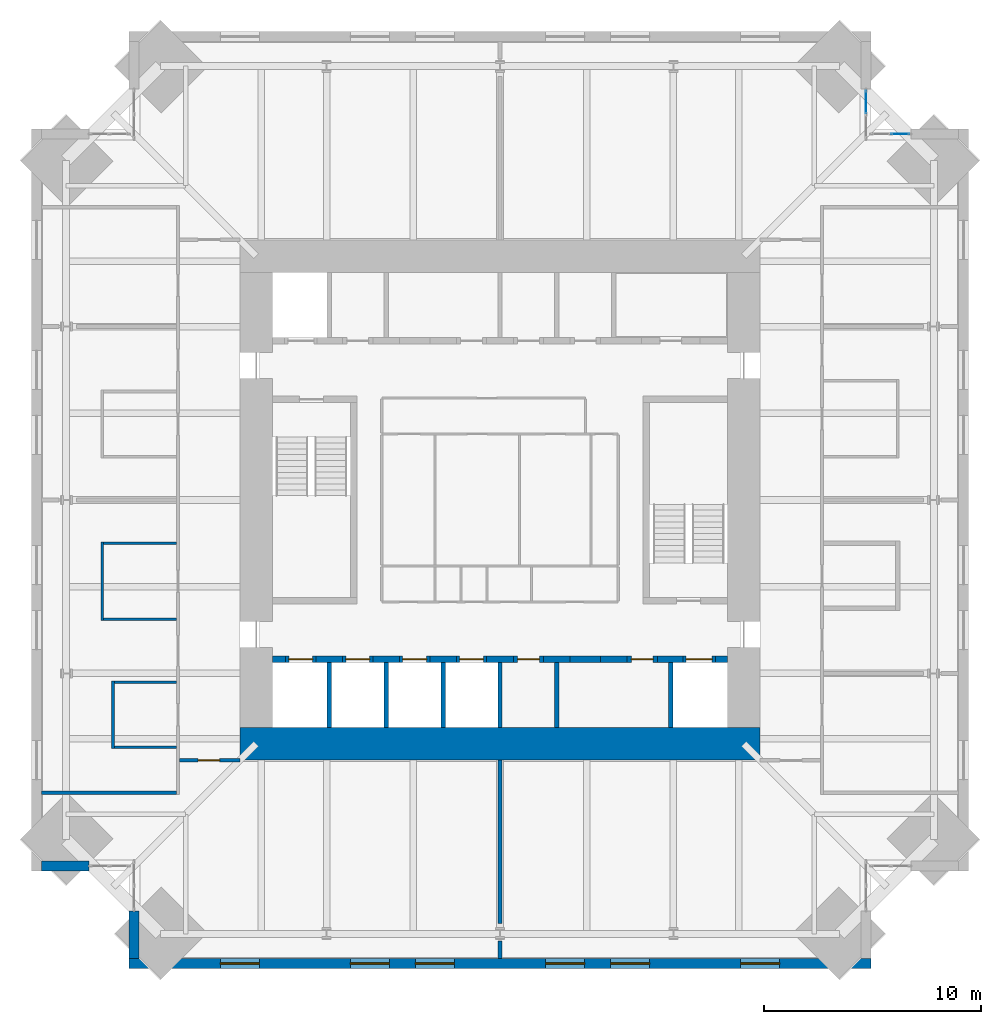
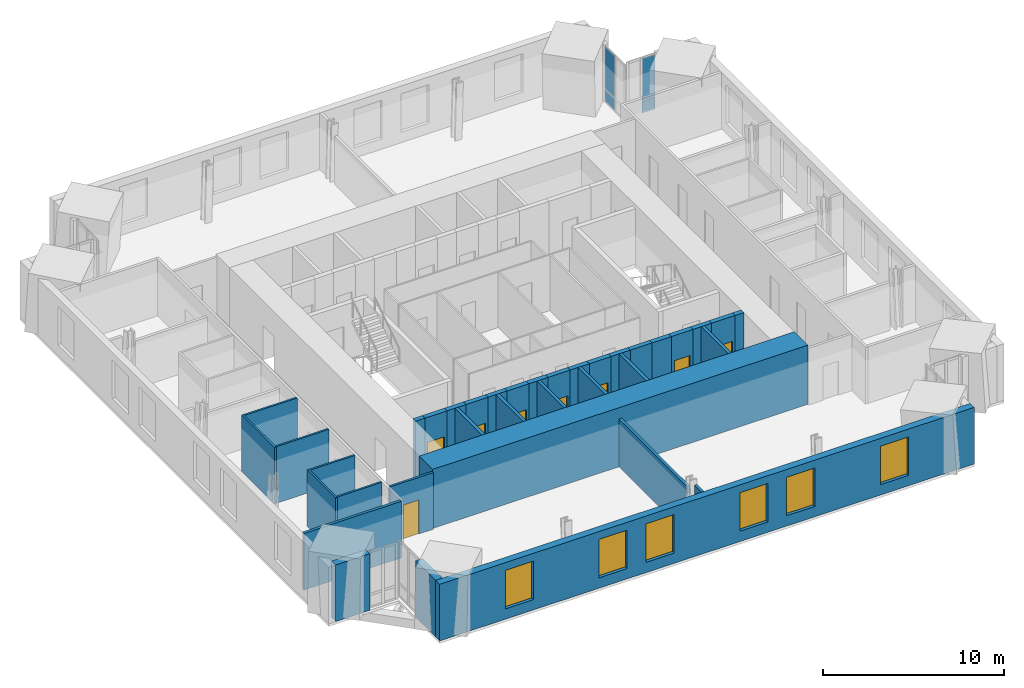
# One storey, part 11 of 16: 37 walls, 8 doors, 6 windows, 4 plates, 14 openings, 2 elements without a shape of their own.
"""IFC4 building model written with IfcOpenShell, lengths in metres."""

import ifcopenshell
import ifcopenshell.guid

model = None  # the IFC model being written
_history = None  # IfcOwnerHistory: only IFC2X3 demands one
_inside = {}  # id of a spatial element -> (the spatial element, [elements in it])
_under = {}  # id of a project, library or spatial element -> (it, [spatial elements below it])
_declared = {}  # id of a project -> (the project, [libraries it declares])
_typed = {}  # id of a type object -> (the type object, [elements of that type])
_made_of = {}  # id of a material, layer set ... -> (it, [elements and type objects made of it])


def new_model(schema):
    """Start an empty IFC model of exactly this schema.

    Asked for "IFC4X3", IfcOpenShell would pick the latest addendum, in which some entities
    have other attributes; the version numbers below select the first issue.
    IFC2X3 requires an IfcOwnerHistory on every rooted entity: one is made here for all.
    """
    global model, _history
    if schema == "IFC4X3":
        model = ifcopenshell.file(schema_version=(4, 3, 0, 0))
    else:
        model = ifcopenshell.file(schema=schema)
    _inside.clear()
    _under.clear()
    _declared.clear()
    _typed.clear()
    _made_of.clear()
    _history = None
    if model.schema == "IFC2X3":
        org = make("IfcOrganization", Name="unknown")
        user = make(
            "IfcPersonAndOrganization",
            ThePerson=make("IfcPerson", FamilyName="unknown"),
            TheOrganization=org,
        )
        app = make(
            "IfcApplication",
            ApplicationDeveloper=org,
            Version="unknown",
            ApplicationFullName="unknown",
            ApplicationIdentifier="unknown",
        )
        _history = make(
            "IfcOwnerHistory",
            OwningUser=user,
            OwningApplication=app,
            ChangeAction="ADDED",
            CreationDate=0,
        )
    return model


def make(cls, **values):
    """One entity of the class cls with the attributes given. An attribute that is None is left unset."""
    return model.create_entity(
        cls, **{name: value for name, value in values.items() if value is not None}
    )


def rooted(cls, **values):
    """An entity with a GlobalId (a new one), such as an element, a storey or a relation."""
    return make(cls, GlobalId=ifcopenshell.guid.new(), OwnerHistory=_history, **values)


def si_unit(unit_type, name, prefix=None):
    """IfcSIUnit, for example si_unit("LENGTHUNIT", "METRE", prefix="MILLI")."""
    return make("IfcSIUnit", UnitType=unit_type, Prefix=prefix, Name=name)


def assignment(units):
    """IfcUnitAssignment: the units of a project."""
    return None if units is None else make("IfcUnitAssignment", Units=units)


def point(xyz):
    """IfcCartesianPoint."""
    return None if xyz is None else make("IfcCartesianPoint", Coordinates=xyz)


def direction(xyz):
    """IfcDirection."""
    return None if xyz is None else make("IfcDirection", DirectionRatios=xyz)


def frame(location, z_axis=None, x_axis=None):
    """IfcAxis2Placement3D, a coordinate frame: its origin and axes. An axis left out is left unset."""
    return make(
        "IfcAxis2Placement3D",
        Location=point(location),
        Axis=direction(z_axis),
        RefDirection=direction(x_axis),
    )


def frame_2d(location, x_axis=None):
    """IfcAxis2Placement2D, a coordinate frame in the plane: its origin and x axis."""
    return make(
        "IfcAxis2Placement2D", Location=point(location), RefDirection=direction(x_axis)
    )


def origin():
    """The frame at (0, 0, 0) with its axes left unset."""
    return frame((0.0, 0.0, 0.0))


def origin_2d():
    """The frame at (0, 0) in the plane with its x axis left unset."""
    return frame_2d((0.0, 0.0))


def place(relative_to, where):
    """IfcLocalPlacement: puts the frame where relative to a parent placement (None: the world)."""
    return make(
        "IfcLocalPlacement", PlacementRelTo=relative_to, RelativePlacement=where
    )


def context(
    kind, dimensions, precision=None, world=None, true_north=None, identifier=None
):
    """IfcGeometricRepresentationContext, for example the 3D "Model" context."""
    return make(
        "IfcGeometricRepresentationContext",
        ContextIdentifier=identifier,
        ContextType=kind,
        CoordinateSpaceDimension=dimensions,
        Precision=precision,
        WorldCoordinateSystem=world,
        TrueNorth=true_north,
    )


def subcontext(parent, identifier, kind, view, scale=None):
    """IfcGeometricRepresentationSubContext, for example "Body" below "Model"."""
    return make(
        "IfcGeometricRepresentationSubContext",
        ContextIdentifier=identifier,
        ContextType=kind,
        ParentContext=parent,
        TargetScale=scale,
        TargetView=view,
    )


def project(units=None, contexts=None):
    """IfcProject with its units and contexts."""
    return rooted(
        "IfcProject",
        Name="project",
        RepresentationContexts=contexts,
        UnitsInContext=assignment(units),
    )


def spatial(cls, under=None, at=None, **own):
    """A site, building, storey or space (cls), placed at a placement, below another one or the project."""
    s = rooted(cls, ObjectPlacement=at, **own)
    if under is not None:
        _under.setdefault(under.id(), (under, []))[1].append(s)
    return s


def profile(cls, at=None, kind="AREA", **sizes):
    """A parametric profile (cls). Its sizes go by their IFC names, for example OverallWidth=200.0."""
    return make(cls, ProfileType=kind, Position=at, **sizes)


def rectangle(**sizes):
    """IfcRectangleProfileDef."""
    return profile("IfcRectangleProfileDef", **sizes)


def extrude(swept, where, along, depth):
    """IfcExtrudedAreaSolid: the profile swept, set in the frame where, extruded along a direction by depth."""
    return make(
        "IfcExtrudedAreaSolid",
        SweptArea=swept,
        Position=where,
        ExtrudedDirection=direction(along),
        Depth=depth,
    )


def shape(context_of_items, identifier, shape_type, items):
    """IfcShapeRepresentation: the items that make up one representation, for example the "Body"."""
    return make(
        "IfcShapeRepresentation",
        ContextOfItems=context_of_items,
        RepresentationIdentifier=identifier,
        RepresentationType=shape_type,
        Items=items,
    )


def material(Name=None, Category=None):
    """IfcMaterial."""
    return make("IfcMaterial", Name=Name, Category=Category)


def layer(
    of_material, thickness, ventilated=None, Name=None, Category=None, Priority=None
):
    """IfcMaterialLayer: one layer of a wall or slab, of a material (None: an air gap)."""
    return make(
        "IfcMaterialLayer",
        Material=of_material,
        LayerThickness=thickness,
        IsVentilated=ventilated,
        Name=Name,
        Category=Category,
        Priority=Priority,
    )


def layer_set(layers, Name=None):
    """IfcMaterialLayerSet."""
    return make("IfcMaterialLayerSet", MaterialLayers=layers, LayerSetName=Name)


def made_of(thing, what):
    """Note that an element or type object is made of a material, layer set ...; save() writes the relation."""
    if what is not None:
        _made_of.setdefault(what.id(), (what, []))[1].append(thing)
    return thing


def type_object(cls, material=None, **own):
    """A type object (cls), such as IfcWallType, which elements share."""
    return made_of(rooted(cls, **own), material)


def element(
    cls,
    number,
    at=None,
    inside=None,
    cuts=None,
    type_object=None,
    material=None,
    context=None,
    identifier="Body",
    shape_type=None,
    held_by="IfcProductDefinitionShape",
    body=None,
    shapes=None,
    **own,
):
    """One element of the class cls, such as IfcWall. Its Tag is "e" and its number.

    at: its placement. inside: the storey or other place that contains it. cuts: it is an
    opening in that element (IfcRelVoidsElement). A single representation is given by context,
    identifier, shape_type and body (its items); several are given by shapes. held_by: the class
    of the entity that holds the representations. save() writes the other relations.
    """
    e = rooted(cls, Tag="e%d" % number, ObjectPlacement=at, **own)
    if body is not None:
        shapes = [shape(context, identifier, shape_type, body)]
    if shapes is not None:
        e.Representation = make(held_by, Representations=shapes)
    if inside is not None:
        _inside.setdefault(inside.id(), (inside, []))[1].append(e)
    if cuts is not None:
        rooted(
            "IfcRelVoidsElement", RelatingBuildingElement=cuts, RelatedOpeningElement=e
        )
    if type_object is not None:
        _typed.setdefault(type_object.id(), (type_object, []))[1].append(e)
    return made_of(e, material)


def fill(opening, filler):
    """IfcRelFillsElement: the door or window that sits in an opening."""
    return rooted(
        "IfcRelFillsElement",
        RelatingOpeningElement=opening,
        RelatedBuildingElement=filler,
    )


def aggregate(whole, parts):
    """IfcRelAggregates: a whole, such as a stair, and the parts it consists of."""
    return rooted("IfcRelAggregates", RelatingObject=whole, RelatedObjects=parts)


def save(model, path):
    """Write the relations noted so far, then the file.

    IfcRelAggregates (storeys below a building ...), IfcRelContainedInSpatialStructure (elements
    in a storey), IfcRelDefinesByType, IfcRelAssociatesMaterial and IfcRelDeclares: one each for
    every whole, place, type object, material and project.
    """
    for whole, parts in _under.values():
        aggregate(whole, parts)
    for where, things in _inside.values():
        rooted(
            "IfcRelContainedInSpatialStructure",
            RelatedElements=things,
            RelatingStructure=where,
        )
    for kind, things in _typed.values():
        rooted("IfcRelDefinesByType", RelatedObjects=things, RelatingType=kind)
    for what, things in _made_of.values():
        rooted("IfcRelAssociatesMaterial", RelatedObjects=things, RelatingMaterial=what)
    for by, libraries in _declared.values():
        rooted("IfcRelDeclares", RelatingContext=by, RelatedDefinitions=libraries)
    model.write(path)


model = new_model("IFC4")

# Units and contexts
model_context = context("Model", 3, precision=1e-05, world=origin(), true_north=direction((0.0, 1.0)))
body_context = subcontext(model_context, "Body", "Model", "MODEL_VIEW")
ifc_project = project(units=[si_unit("LENGTHUNIT", "METRE"), si_unit("AREAUNIT", "SQUARE_METRE"), si_unit("VOLUMEUNIT", "CUBIC_METRE"), si_unit("PLANEANGLEUNIT", "RADIAN"), si_unit("MASSUNIT", "GRAM", prefix="KILO")], contexts=[model_context])

# Site, building, storey
site_placement = place(None, origin())
site = spatial("IfcSite", under=ifc_project, at=site_placement, CompositionType="ELEMENT")
building_placement = place(site_placement, origin())
building = spatial("IfcBuilding", under=site, at=building_placement, Name="Peilmerk Tower", CompositionType="ELEMENT")
storey_placement = place(building_placement, frame((0.0, 0.0, 269.800048828125)))
storey = spatial("IfcBuildingStorey", under=building, at=storey_placement, Name="L60", CompositionType="ELEMENT", Elevation=269.800048828125)

# Curtain wall, plates
ifc_material_1 = material(Name="Aluminium stick curtain wall", Category="aluminium")
curtain_wall_type = type_object("IfcCurtainWallType", Name="CW4 stick curtain wall, 2250 module", PredefinedType="NOTDEFINED", material=ifc_material_1)
curtain_wall_1_placement = place(storey_placement, origin())
curtain_wall_1 = element("IfcCurtainWall", 1, at=curtain_wall_1_placement, inside=storey, type_object=curtain_wall_type, Name="Curtain wall CW4 NEA L60", PredefinedType="NOTDEFINED")
ifc_material_2 = material(Name="Clear insulated glazing unit", Category="glass")
ifc_layer_1 = layer(ifc_material_2, 0.028076171875)
ifc_layer_set_1 = layer_set([ifc_layer_1], Name="Clear insulated glazing unit")
plate_type = type_object("IfcPlateType", Name="CW4-P 28 glazed panel", PredefinedType="CURTAIN_PANEL", material=ifc_layer_set_1)
plate_1_placement = place(storey_placement, frame((16.875, 18.350341796875, 0.06494140625), z_axis=(0.0, 0.0, 1.0), x_axis=(0.0, 1.0, 0.0)))
plate_1 = element("IfcPlate", 2, at=plate_1_placement, type_object=plate_type, Name="CW4 panel 2.1", PredefinedType="CURTAIN_PANEL", context=body_context, shape_type="SweptSolid", body=[
    extrude(rectangle(XDim=1.046875, YDim=0.028076171875, at=origin_2d()), origin(), (0.0, 0.0, 1.0), 0.802490234375),
])
plate_2_placement = place(storey_placement, frame((16.875, 18.350341796875, 0.932373046875), z_axis=(0.0, 0.0, 1.0), x_axis=(0.0, 1.0, 0.0)))
plate_2 = element("IfcPlate", 3, at=plate_2_placement, type_object=plate_type, Name="CW4 panel 2.2", PredefinedType="CURTAIN_PANEL", context=body_context, shape_type="SweptSolid", body=[
    extrude(rectangle(XDim=1.046875, YDim=0.028076171875, at=origin_2d()), origin(), (0.0, 0.0, 1.0), 2.83251953125),
])
aggregate(curtain_wall_1, [plate_1, plate_2])

curtain_wall_2_placement = place(storey_placement, origin())
curtain_wall_2 = element("IfcCurtainWall", 4, at=curtain_wall_2_placement, inside=storey, type_object=curtain_wall_type, Name="Curtain wall CW4 NEB L60", PredefinedType="NOTDEFINED")
plate_3_placement = place(storey_placement, frame((18.462646484375, 16.875, 0.06494140625), z_axis=(0.0, 0.0, 1.0), x_axis=(1.0, 0.0, 0.0)))
plate_3 = element("IfcPlate", 5, at=plate_3_placement, type_object=plate_type, Name="CW4 panel 2.1", PredefinedType="CURTAIN_PANEL", context=body_context, shape_type="SweptSolid", body=[
    extrude(rectangle(XDim=0.82177734375, YDim=0.028076171875, at=origin_2d()), origin(), (0.0, 0.0, 1.0), 0.802490234375),
])
plate_4_placement = place(storey_placement, frame((18.462646484375, 16.875, 0.932373046875), z_axis=(0.0, 0.0, 1.0), x_axis=(1.0, 0.0, 0.0)))
plate_4 = element("IfcPlate", 6, at=plate_4_placement, type_object=plate_type, Name="CW4 panel 2.2", PredefinedType="CURTAIN_PANEL", context=body_context, shape_type="SweptSolid", body=[
    extrude(rectangle(XDim=0.82177734375, YDim=0.028076171875, at=origin_2d()), origin(), (0.0, 0.0, 1.0), 2.83251953125),
])
aggregate(curtain_wall_2, [plate_3, plate_4])

# Wall, openings, windows
ifc_material_3 = material(Name="Precast concrete C45/55, board-marked finish", Category="concrete")
ifc_layer_2 = layer(ifc_material_3, 0.449951171875)
ifc_layer_set_2 = layer_set([ifc_layer_2], Name="Precast concrete C45/55, board-marked finish")
wall_type_1 = type_object("IfcWallType", Name="EW1 450 precast concrete facade wall, board-marked", PredefinedType="SOLIDWALL", material=ifc_layer_set_2)
wall_1_placement = place(storey_placement, frame((-17.10009765625, -21.375, 0.0), z_axis=(0.0, 0.0, 1.0), x_axis=(1.0, 0.0, 0.0)))
wall_1 = element("IfcWall", 7, at=wall_1_placement, inside=storey, type_object=wall_type_1, Name="Facade wall S L60", PredefinedType="SOLIDWALL", context=body_context, shape_type="SweptSolid", body=[
    extrude(rectangle(XDim=34.2001953125, YDim=0.449951171875, at=frame_2d((17.10009765625, 0.0))), origin(), (0.0, 0.0, 1.0), 3.829833984375),
])
opening_1_placement = place(wall_1_placement, frame((4.199951171875, 0.0, 0.699951171875)))
opening_1 = element("IfcOpeningElement", 8, at=opening_1_placement, cuts=wall_1, Name="Opening W1", PredefinedType="OPENING", context=body_context, shape_type="SweptSolid", body=[
    extrude(rectangle(XDim=1.800048828125, YDim=2.60009765625, at=frame_2d((0.89990234375, 1.300048828125))), frame((0.0, 0.23486328125, 0.0), z_axis=(0.0, -1.0, 0.0), x_axis=(1.0, 0.0, 0.0)), (0.0, 0.0, 1.0), 0.469970703125),
])
opening_2_placement = place(wall_1_placement, frame((10.199951171875, 0.0, 0.699951171875)))
opening_2 = element("IfcOpeningElement", 9, at=opening_2_placement, cuts=wall_1, Name="Opening W1", PredefinedType="OPENING", context=body_context, shape_type="SweptSolid", body=[
    extrude(rectangle(XDim=1.800048828125, YDim=2.60009765625, at=frame_2d((0.89990234375, 1.300048828125))), frame((0.0, 0.23486328125, 0.0), z_axis=(0.0, -1.0, 0.0), x_axis=(1.0, 0.0, 0.0)), (0.0, 0.0, 1.0), 0.469970703125),
])
opening_3_placement = place(wall_1_placement, frame((13.199951171875, 0.0, 0.699951171875)))
opening_3 = element("IfcOpeningElement", 10, at=opening_3_placement, cuts=wall_1, Name="Opening W1", PredefinedType="OPENING", context=body_context, shape_type="SweptSolid", body=[
    extrude(rectangle(XDim=1.800048828125, YDim=2.60009765625, at=frame_2d((0.89990234375, 1.300048828125))), frame((0.0, 0.23486328125, 0.0), z_axis=(0.0, -1.0, 0.0), x_axis=(1.0, 0.0, 0.0)), (0.0, 0.0, 1.0), 0.469970703125),
])
opening_4_placement = place(wall_1_placement, frame((19.199951171875, 0.0, 0.699951171875)))
opening_4 = element("IfcOpeningElement", 11, at=opening_4_placement, cuts=wall_1, Name="Opening W1", PredefinedType="OPENING", context=body_context, shape_type="SweptSolid", body=[
    extrude(rectangle(XDim=1.800048828125, YDim=2.60009765625, at=frame_2d((0.89990234375, 1.300048828125))), frame((0.0, 0.23486328125, 0.0), z_axis=(0.0, -1.0, 0.0), x_axis=(1.0, 0.0, 0.0)), (0.0, 0.0, 1.0), 0.469970703125),
])
opening_5_placement = place(wall_1_placement, frame((22.199951171875, 0.0, 0.699951171875)))
opening_5 = element("IfcOpeningElement", 12, at=opening_5_placement, cuts=wall_1, Name="Opening W1", PredefinedType="OPENING", context=body_context, shape_type="SweptSolid", body=[
    extrude(rectangle(XDim=1.800048828125, YDim=2.60009765625, at=frame_2d((0.89990234375, 1.300048828125))), frame((0.0, 0.23486328125, 0.0), z_axis=(0.0, -1.0, 0.0), x_axis=(1.0, 0.0, 0.0)), (0.0, 0.0, 1.0), 0.469970703125),
])
opening_6_placement = place(wall_1_placement, frame((28.199951171875, 0.0, 0.699951171875)))
opening_6 = element("IfcOpeningElement", 13, at=opening_6_placement, cuts=wall_1, Name="Opening W1", PredefinedType="OPENING", context=body_context, shape_type="SweptSolid", body=[
    extrude(rectangle(XDim=1.800048828125, YDim=2.60009765625, at=frame_2d((0.89990234375, 1.300048828125))), frame((0.0, 0.23486328125, 0.0), z_axis=(0.0, -1.0, 0.0), x_axis=(1.0, 0.0, 0.0)), (0.0, 0.0, 1.0), 0.469970703125),
])
ifc_material_4 = material(Name="Aluminium frame, clear double glazing", Category="aluminium")
window_type = type_object("IfcWindowType", Name="W1 1800x2600 office window", PartitioningType="SINGLE_PANEL", PredefinedType="WINDOW", material=ifc_material_4)
window_1_placement = place(opening_1_placement, origin())
window_1 = element("IfcWindow", 14, at=window_1_placement, inside=storey, type_object=window_type, Name="Window W1 L60", OverallHeight=2.60009765625, OverallWidth=1.800048828125, PartitioningType="SINGLE_PANEL", PredefinedType="WINDOW", context=body_context, shape_type="SweptSolid", body=[
    extrude(rectangle(XDim=1.800048828125, YDim=2.60009765625, at=frame_2d((0.89990234375, 1.300048828125))), frame((0.0, 0.030029296875, 0.0), z_axis=(0.0, -1.0, 0.0), x_axis=(1.0, 0.0, 0.0)), (0.0, 0.0, 1.0), 0.06005859375),
])
fill(opening_1, window_1)
window_2_placement = place(opening_2_placement, origin())
window_2 = element("IfcWindow", 15, at=window_2_placement, inside=storey, type_object=window_type, Name="Window W1 L60", OverallHeight=2.60009765625, OverallWidth=1.800048828125, PartitioningType="SINGLE_PANEL", PredefinedType="WINDOW", context=body_context, shape_type="SweptSolid", body=[
    extrude(rectangle(XDim=1.800048828125, YDim=2.60009765625, at=frame_2d((0.89990234375, 1.300048828125))), frame((0.0, 0.030029296875, 0.0), z_axis=(0.0, -1.0, 0.0), x_axis=(1.0, 0.0, 0.0)), (0.0, 0.0, 1.0), 0.06005859375),
])
fill(opening_2, window_2)
window_3_placement = place(opening_3_placement, origin())
window_3 = element("IfcWindow", 16, at=window_3_placement, inside=storey, type_object=window_type, Name="Window W1 L60", OverallHeight=2.60009765625, OverallWidth=1.800048828125, PartitioningType="SINGLE_PANEL", PredefinedType="WINDOW", context=body_context, shape_type="SweptSolid", body=[
    extrude(rectangle(XDim=1.800048828125, YDim=2.60009765625, at=frame_2d((0.89990234375, 1.300048828125))), frame((0.0, 0.030029296875, 0.0), z_axis=(0.0, -1.0, 0.0), x_axis=(1.0, 0.0, 0.0)), (0.0, 0.0, 1.0), 0.06005859375),
])
fill(opening_3, window_3)
window_4_placement = place(opening_4_placement, origin())
window_4 = element("IfcWindow", 17, at=window_4_placement, inside=storey, type_object=window_type, Name="Window W1 L60", OverallHeight=2.60009765625, OverallWidth=1.800048828125, PartitioningType="SINGLE_PANEL", PredefinedType="WINDOW", context=body_context, shape_type="SweptSolid", body=[
    extrude(rectangle(XDim=1.800048828125, YDim=2.60009765625, at=frame_2d((0.89990234375, 1.300048828125))), frame((0.0, 0.030029296875, 0.0), z_axis=(0.0, -1.0, 0.0), x_axis=(1.0, 0.0, 0.0)), (0.0, 0.0, 1.0), 0.06005859375),
])
fill(opening_4, window_4)
window_5_placement = place(opening_5_placement, origin())
window_5 = element("IfcWindow", 18, at=window_5_placement, inside=storey, type_object=window_type, Name="Window W1 L60", OverallHeight=2.60009765625, OverallWidth=1.800048828125, PartitioningType="SINGLE_PANEL", PredefinedType="WINDOW", context=body_context, shape_type="SweptSolid", body=[
    extrude(rectangle(XDim=1.800048828125, YDim=2.60009765625, at=frame_2d((0.89990234375, 1.300048828125))), frame((0.0, 0.030029296875, 0.0), z_axis=(0.0, -1.0, 0.0), x_axis=(1.0, 0.0, 0.0)), (0.0, 0.0, 1.0), 0.06005859375),
])
fill(opening_5, window_5)
window_6_placement = place(opening_6_placement, origin())
window_6 = element("IfcWindow", 19, at=window_6_placement, inside=storey, type_object=window_type, Name="Window W1 L60", OverallHeight=2.60009765625, OverallWidth=1.800048828125, PartitioningType="SINGLE_PANEL", PredefinedType="WINDOW", context=body_context, shape_type="SweptSolid", body=[
    extrude(rectangle(XDim=1.800048828125, YDim=2.60009765625, at=frame_2d((0.89990234375, 1.300048828125))), frame((0.0, 0.030029296875, 0.0), z_axis=(0.0, -1.0, 0.0), x_axis=(1.0, 0.0, 0.0)), (0.0, 0.0, 1.0), 0.06005859375),
])
fill(opening_6, window_6)

# Walls
for number, where, z_axis, x_axis, name in (
    (20, (-16.875, -18.95361328125, 0.0), (0.0, 0.0, 1.0), (0.0, -1.0, 0.0), "Facade wall SWA L60"),
    (21, (-18.95361328125, -16.875, 0.0), (0.0, 0.0, 1.0), (-1.0, 0.0, 0.0), "Facade wall SWB L60"),
):
    element("IfcWall", number, at=place(storey_placement, frame(where, z_axis=z_axis, x_axis=x_axis)), inside=storey, type_object=wall_type_1, Name=name, PredefinedType="SOLIDWALL", context=body_context, shape_type="SweptSolid", body=[
        extrude(rectangle(XDim=2.1962890625, YDim=0.449951171875, at=frame_2d((1.09814453125, 0.0))), origin(), (0.0, 0.0, 1.0), 3.829833984375),
    ])

# Wall, opening, door
ifc_material_5 = material(Name="Calcium silicate block", Category="masonry")
ifc_layer_3 = layer(ifc_material_5, 0.14990234375)
ifc_layer_set_3 = layer_set([ifc_layer_3], Name="Calcium silicate block")
wall_type_2 = type_object("IfcWallType", Name="IW1 150 corridor partition, EI 60", PredefinedType="PARTITIONING", material=ifc_layer_set_3)
wall_2_placement = place(storey_placement, frame((-12.0, -12.0, 0.0), z_axis=(0.0, 0.0, 1.0), x_axis=(-1.0, 0.0, 0.0)))
wall_2 = element("IfcWall", 22, at=wall_2_placement, inside=storey, type_object=wall_type_2, Name="Corridor wall SW L60", PredefinedType="PARTITIONING", context=body_context, shape_type="SweptSolid", body=[
    extrude(rectangle(XDim=2.77490234375, YDim=0.14990234375, at=frame_2d((1.387451171875, 0.0))), origin(), (0.0, 0.0, 1.0), 3.829833984375),
])
opening_7_placement = place(wall_2_placement, frame((0.925048828125, 0.0, 0.0)))
opening_7 = element("IfcOpeningElement", 23, at=opening_7_placement, cuts=wall_2, Name="Opening D1", PredefinedType="OPENING", context=body_context, shape_type="SweptSolid", body=[
    extrude(rectangle(XDim=1.0, YDim=2.300048828125, at=frame_2d((0.5, 1.14990234375))), frame((0.0, 0.0849609375, 0.0), z_axis=(0.0, -1.0, 0.0), x_axis=(1.0, 0.0, 0.0)), (0.0, 0.0, 1.0), 0.169921875),
])
ifc_material_6 = material(Name="Timber door in steel frame", Category="steel")
door_type_1 = type_object("IfcDoorType", Name="D1 1000x2300 room door, EI2 30", OperationType="SINGLE_SWING_LEFT", PredefinedType="DOOR", material=ifc_material_6)
door_1_placement = place(opening_7_placement, origin())
door_1 = element("IfcDoor", 24, at=door_1_placement, inside=storey, type_object=door_type_1, Name="Door Office L60", OperationType="SINGLE_SWING_LEFT", OverallHeight=2.300048828125, OverallWidth=1.0, PredefinedType="DOOR", context=body_context, shape_type="SweptSolid", body=[
    extrude(rectangle(XDim=1.0, YDim=2.300048828125, at=frame_2d((0.5, 1.14990234375))), frame((0.0, 0.02490234375, 0.0), z_axis=(0.0, -1.0, 0.0), x_axis=(1.0, 0.0, 0.0)), (0.0, 0.0, 1.0), 0.050048828125),
])
fill(opening_7, door_1)

# Walls
ifc_material_7 = material(Name="Plasterboard on steel studs, double boarded with mineral wool", Category="steel")
ifc_layer_4 = layer(ifc_material_7, 0.125)
ifc_layer_set_4 = layer_set([ifc_layer_4], Name="Plasterboard on steel studs, double boarded with mineral wool")
wall_type_3 = type_object("IfcWallType", Name="IW7 125 acoustic partition, EI 30", PredefinedType="PARTITIONING", material=ifc_layer_set_4)
wall_3_placement = place(storey_placement, frame((-18.35009765625, -5.5625, 0.0), z_axis=(0.0, 0.0, 1.0), x_axis=(0.0, 1.0, 0.0)))
element("IfcWall", 25, at=wall_3_placement, inside=storey, type_object=wall_type_3, Name="Acoustic partition Meeting room L60", PredefinedType="PARTITIONING", context=body_context, shape_type="SweptSolid", body=[
    extrude(rectangle(XDim=3.625, YDim=0.125, at=frame_2d((1.8125, 0.0))), origin(), (0.0, 0.0, 1.0), 3.829833984375),
])
for number, where, z_axis, x_axis, name in (
    (26, (-14.925048828125, -5.5, 0.0), (0.0, 0.0, 1.0), (-1.0, 0.0, 0.0), "Acoustic partition Meeting room L60"),
    (27, (-14.925048828125, -2.0, 0.0), (0.0, 0.0, 1.0), (-1.0, 0.0, 0.0), "Acoustic partition Meeting room L60"),
):
    element("IfcWall", number, at=place(storey_placement, frame(where, z_axis=z_axis, x_axis=x_axis)), inside=storey, type_object=wall_type_3, Name=name, PredefinedType="PARTITIONING", context=body_context, shape_type="SweptSolid", body=[
        extrude(rectangle(XDim=3.362548828125, YDim=0.125, at=frame_2d((1.68115234375, 0.0))), origin(), (0.0, 0.0, 1.0), 3.829833984375),
    ])
wall_4_placement = place(storey_placement, frame((-17.85009765625, -11.46240234375, 0.0), z_axis=(0.0, 0.0, 1.0), x_axis=(0.0, 1.0, 0.0)))
element("IfcWall", 28, at=wall_4_placement, inside=storey, type_object=wall_type_3, Name="Acoustic partition Quiet room L60", PredefinedType="PARTITIONING", context=body_context, shape_type="SweptSolid", body=[
    extrude(rectangle(XDim=3.125, YDim=0.125, at=frame_2d((1.5625, 0.0))), origin(), (0.0, 0.0, 1.0), 3.829833984375),
])
for number, where, z_axis, x_axis, name in (
    (29, (-14.925048828125, -11.39990234375, 0.0), (0.0, 0.0, 1.0), (-1.0, 0.0, 0.0), "Acoustic partition Quiet room L60"),
    (30, (-14.925048828125, -8.39990234375, 0.0), (0.0, 0.0, 1.0), (-1.0, 0.0, 0.0), "Acoustic partition Quiet room L60"),
):
    element("IfcWall", number, at=place(storey_placement, frame(where, z_axis=z_axis, x_axis=x_axis)), inside=storey, type_object=wall_type_3, Name=name, PredefinedType="PARTITIONING", context=body_context, shape_type="SweptSolid", body=[
        extrude(rectangle(XDim=2.862548828125, YDim=0.125, at=frame_2d((1.43115234375, 0.0))), origin(), (0.0, 0.0, 1.0), 3.829833984375),
    ])
ifc_layer_5 = layer(ifc_material_5, 0.175048828125)
ifc_layer_set_5 = layer_set([ifc_layer_5], Name="Calcium silicate block")
wall_type_4 = type_object("IfcWallType", Name="IW8 175 tenant separating wall, EI 60", PredefinedType="PARTITIONING", material=ifc_layer_set_5)
wall_5_placement = place(storey_placement, frame((-14.925048828125, -13.5, 0.0), z_axis=(0.0, 0.0, 1.0), x_axis=(-1.0, 0.0, 0.0)))
element("IfcWall", 31, at=wall_5_placement, inside=storey, type_object=wall_type_4, Name="Tenant separating wall SW L60", PredefinedType="PARTITIONING", context=body_context, shape_type="SweptSolid", body=[
    extrude(rectangle(XDim=6.224853515625, YDim=0.175048828125, at=frame_2d((3.1123046875, 0.0))), origin(), (0.0, 0.0, 1.0), 3.829833984375),
])
wall_6_placement = place(storey_placement, frame((0.0, -12.0, 0.0), z_axis=(0.0, 0.0, 1.0), x_axis=(0.0, -1.0, 0.0)))
element("IfcWall", 32, at=wall_6_placement, inside=storey, type_object=wall_type_4, Name="Tenant separating wall S1 L60", PredefinedType="PARTITIONING", context=body_context, shape_type="SweptSolid", body=[
    extrude(rectangle(XDim=7.52685546875, YDim=0.175048828125, at=frame_2d((3.763427734375, 0.0))), origin(), (0.0, 0.0, 1.0), 3.239990234375),
])
wall_7_placement = place(storey_placement, frame((0.0, -20.347412109375, 0.0), z_axis=(0.0, 0.0, 1.0), x_axis=(0.0, -1.0, 0.0)))
element("IfcWall", 33, at=wall_7_placement, inside=storey, type_object=wall_type_4, Name="Tenant separating wall S1b L60", PredefinedType="PARTITIONING", context=body_context, shape_type="SweptSolid", body=[
    extrude(rectangle(XDim=0.802490234375, YDim=0.175048828125, at=frame_2d((0.4013671875, 0.0))), origin(), (0.0, 0.0, 1.0), 3.829833984375),
])
ifc_layer_6 = layer(ifc_material_5, 0.199951171875)
ifc_layer_set_6 = layer_set([ifc_layer_6], Name="Calcium silicate block")
wall_type_5 = type_object("IfcWallType", Name="SH1 200 shaft dividing wall, EI 120", PredefinedType="PARTITIONING", material=ifc_layer_set_6)
for number, where, z_axis, x_axis, name in (
    (34, (-7.875, -10.5, 0.0), (0.0, 0.0, 1.0), (0.0, 1.0, 0.0), "Shaft wall S C4 L60"),
    (35, (-5.25, -10.5, 0.0), (0.0, 0.0, 1.0), (0.0, 1.0, 0.0), "Shaft wall S C3 L60"),
    (36, (-2.625, -10.5, 0.0), (0.0, 0.0, 1.0), (0.0, 1.0, 0.0), "Shaft wall S C2 L60"),
    (37, (0.0, -10.5, 0.0), (0.0, 0.0, 1.0), (0.0, 1.0, 0.0), "Shaft wall S C1 L60"),
    (38, (2.625, -10.5, 0.0), (0.0, 0.0, 1.0), (0.0, 1.0, 0.0), "Shaft wall S B3 L60"),
    (39, (7.875, -10.5, 0.0), (0.0, 0.0, 1.0), (0.0, 1.0, 0.0), "Shaft wall S B1 L60"),
):
    element("IfcWall", number, at=place(storey_placement, frame(where, z_axis=z_axis, x_axis=x_axis)), inside=storey, type_object=wall_type_5, Name=name, PredefinedType="PARTITIONING", context=body_context, shape_type="SweptSolid", body=[
        extrude(rectangle(XDim=3.0, YDim=0.199951171875, at=frame_2d((1.5, 0.0))), origin(), (0.0, 0.0, 1.0), 4.0),
    ])

# Wall, opening, door
ifc_layer_7 = layer(ifc_material_5, 0.300048828125)
ifc_layer_set_7 = layer_set([ifc_layer_7], Name="Calcium silicate block")
wall_type_6 = type_object("IfcWallType", Name="SH2 300 lift landing door panel, EI 120", PredefinedType="PARTITIONING", material=ifc_layer_set_7)
wall_8_placement = place(storey_placement, frame((-9.887451171875, -7.35009765625, 0.0), z_axis=(0.0, 0.0, 1.0), x_axis=(1.0, 0.0, 0.0)))
wall_8 = element("IfcWall", 40, at=wall_8_placement, inside=storey, type_object=wall_type_6, Name="Lift door panel S C4 L60", PredefinedType="PARTITIONING", context=body_context, shape_type="SweptSolid", body=[
    extrude(rectangle(XDim=1.39990234375, YDim=0.300048828125, at=frame_2d((0.699951171875, 0.0))), origin(), (0.0, 0.0, 1.0), 4.0),
])
opening_8_placement = place(wall_8_placement, frame((0.14990234375, 0.0, 0.0)))
opening_8 = element("IfcOpeningElement", 41, at=opening_8_placement, cuts=wall_8, Name="Opening LD1", PredefinedType="OPENING", context=body_context, shape_type="SweptSolid", body=[
    extrude(rectangle(XDim=1.10009765625, YDim=2.300048828125, at=frame_2d((0.550048828125, 1.14990234375))), frame((0.0, 0.159912109375, 0.0), z_axis=(0.0, -1.0, 0.0), x_axis=(1.0, 0.0, 0.0)), (0.0, 0.0, 1.0), 0.320068359375),
])
ifc_material_8 = material(Name="Stainless steel landing door", Category="steel")
door_type_2 = type_object("IfcDoorType", Name="LD1 1100x2300 lift landing door, sliding, EI2 60", OperationType="SLIDING_TO_LEFT", PredefinedType="DOOR", material=ifc_material_8)
door_2_placement = place(opening_8_placement, origin())
door_2 = element("IfcDoor", 42, at=door_2_placement, inside=storey, type_object=door_type_2, Name="Lift landing door C4 L60", OperationType="SLIDING_TO_LEFT", OverallHeight=2.300048828125, OverallWidth=1.10009765625, PredefinedType="DOOR", context=body_context, shape_type="SweptSolid", body=[
    extrude(rectangle(XDim=1.10009765625, YDim=2.300048828125, at=frame_2d((0.550048828125, 1.14990234375))), frame((0.0, 0.02490234375, 0.0), z_axis=(0.0, -1.0, 0.0), x_axis=(1.0, 0.0, 0.0)), (0.0, 0.0, 1.0), 0.050048828125),
])
fill(opening_8, door_2)

wall_9_placement = place(storey_placement, frame((-7.262451171875, -7.35009765625, 0.0), z_axis=(0.0, 0.0, 1.0), x_axis=(1.0, 0.0, 0.0)))
wall_9 = element("IfcWall", 43, at=wall_9_placement, inside=storey, type_object=wall_type_6, Name="Lift door panel S C3 L60", PredefinedType="PARTITIONING", context=body_context, shape_type="SweptSolid", body=[
    extrude(rectangle(XDim=1.39990234375, YDim=0.300048828125, at=frame_2d((0.699951171875, 0.0))), origin(), (0.0, 0.0, 1.0), 4.0),
])
opening_9_placement = place(wall_9_placement, frame((0.14990234375, 0.0, 0.0)))
opening_9 = element("IfcOpeningElement", 44, at=opening_9_placement, cuts=wall_9, Name="Opening LD1", PredefinedType="OPENING", context=body_context, shape_type="SweptSolid", body=[
    extrude(rectangle(XDim=1.10009765625, YDim=2.300048828125, at=frame_2d((0.550048828125, 1.14990234375))), frame((0.0, 0.159912109375, 0.0), z_axis=(0.0, -1.0, 0.0), x_axis=(1.0, 0.0, 0.0)), (0.0, 0.0, 1.0), 0.320068359375),
])
door_3_placement = place(opening_9_placement, origin())
door_3 = element("IfcDoor", 45, at=door_3_placement, inside=storey, type_object=door_type_2, Name="Lift landing door C3 L60", OperationType="SLIDING_TO_LEFT", OverallHeight=2.300048828125, OverallWidth=1.10009765625, PredefinedType="DOOR", context=body_context, shape_type="SweptSolid", body=[
    extrude(rectangle(XDim=1.10009765625, YDim=2.300048828125, at=frame_2d((0.550048828125, 1.14990234375))), frame((0.0, 0.02490234375, 0.0), z_axis=(0.0, -1.0, 0.0), x_axis=(1.0, 0.0, 0.0)), (0.0, 0.0, 1.0), 0.050048828125),
])
fill(opening_9, door_3)

wall_10_placement = place(storey_placement, frame((-4.637451171875, -7.35009765625, 0.0), z_axis=(0.0, 0.0, 1.0), x_axis=(1.0, 0.0, 0.0)))
wall_10 = element("IfcWall", 46, at=wall_10_placement, inside=storey, type_object=wall_type_6, Name="Lift door panel S C2 L60", PredefinedType="PARTITIONING", context=body_context, shape_type="SweptSolid", body=[
    extrude(rectangle(XDim=1.39990234375, YDim=0.300048828125, at=frame_2d((0.699951171875, 0.0))), origin(), (0.0, 0.0, 1.0), 4.0),
])
opening_10_placement = place(wall_10_placement, frame((0.14990234375, 0.0, 0.0)))
opening_10 = element("IfcOpeningElement", 47, at=opening_10_placement, cuts=wall_10, Name="Opening LD1", PredefinedType="OPENING", context=body_context, shape_type="SweptSolid", body=[
    extrude(rectangle(XDim=1.10009765625, YDim=2.300048828125, at=frame_2d((0.550048828125, 1.14990234375))), frame((0.0, 0.159912109375, 0.0), z_axis=(0.0, -1.0, 0.0), x_axis=(1.0, 0.0, 0.0)), (0.0, 0.0, 1.0), 0.320068359375),
])
door_4_placement = place(opening_10_placement, origin())
door_4 = element("IfcDoor", 48, at=door_4_placement, inside=storey, type_object=door_type_2, Name="Lift landing door C2 L60", OperationType="SLIDING_TO_LEFT", OverallHeight=2.300048828125, OverallWidth=1.10009765625, PredefinedType="DOOR", context=body_context, shape_type="SweptSolid", body=[
    extrude(rectangle(XDim=1.10009765625, YDim=2.300048828125, at=frame_2d((0.550048828125, 1.14990234375))), frame((0.0, 0.02490234375, 0.0), z_axis=(0.0, -1.0, 0.0), x_axis=(1.0, 0.0, 0.0)), (0.0, 0.0, 1.0), 0.050048828125),
])
fill(opening_10, door_4)

wall_11_placement = place(storey_placement, frame((-2.012451171875, -7.35009765625, 0.0), z_axis=(0.0, 0.0, 1.0), x_axis=(1.0, 0.0, 0.0)))
wall_11 = element("IfcWall", 49, at=wall_11_placement, inside=storey, type_object=wall_type_6, Name="Lift door panel S C1 L60", PredefinedType="PARTITIONING", context=body_context, shape_type="SweptSolid", body=[
    extrude(rectangle(XDim=1.39990234375, YDim=0.300048828125, at=frame_2d((0.699951171875, 0.0))), origin(), (0.0, 0.0, 1.0), 4.0),
])
opening_11_placement = place(wall_11_placement, frame((0.14990234375, 0.0, 0.0)))
opening_11 = element("IfcOpeningElement", 50, at=opening_11_placement, cuts=wall_11, Name="Opening LD1", PredefinedType="OPENING", context=body_context, shape_type="SweptSolid", body=[
    extrude(rectangle(XDim=1.10009765625, YDim=2.300048828125, at=frame_2d((0.550048828125, 1.14990234375))), frame((0.0, 0.159912109375, 0.0), z_axis=(0.0, -1.0, 0.0), x_axis=(1.0, 0.0, 0.0)), (0.0, 0.0, 1.0), 0.320068359375),
])
door_5_placement = place(opening_11_placement, origin())
door_5 = element("IfcDoor", 51, at=door_5_placement, inside=storey, type_object=door_type_2, Name="Lift landing door C1 L60", OperationType="SLIDING_TO_LEFT", OverallHeight=2.300048828125, OverallWidth=1.10009765625, PredefinedType="DOOR", context=body_context, shape_type="SweptSolid", body=[
    extrude(rectangle(XDim=1.10009765625, YDim=2.300048828125, at=frame_2d((0.550048828125, 1.14990234375))), frame((0.0, 0.02490234375, 0.0), z_axis=(0.0, -1.0, 0.0), x_axis=(1.0, 0.0, 0.0)), (0.0, 0.0, 1.0), 0.050048828125),
])
fill(opening_11, door_5)

wall_12_placement = place(storey_placement, frame((0.612548828125, -7.35009765625, 0.0), z_axis=(0.0, 0.0, 1.0), x_axis=(1.0, 0.0, 0.0)))
wall_12 = element("IfcWall", 52, at=wall_12_placement, inside=storey, type_object=wall_type_6, Name="Lift door panel S B3 L60", PredefinedType="PARTITIONING", context=body_context, shape_type="SweptSolid", body=[
    extrude(rectangle(XDim=1.39990234375, YDim=0.300048828125, at=frame_2d((0.699951171875, 0.0))), origin(), (0.0, 0.0, 1.0), 4.0),
])
opening_12_placement = place(wall_12_placement, frame((0.199951171875, 0.0, 0.0)))
opening_12 = element("IfcOpeningElement", 53, at=opening_12_placement, cuts=wall_12, Name="Opening D10", PredefinedType="OPENING", context=body_context, shape_type="SweptSolid", body=[
    extrude(rectangle(XDim=1.0, YDim=2.300048828125, at=frame_2d((0.5, 1.14990234375))), frame((0.0, 0.159912109375, 0.0), z_axis=(0.0, -1.0, 0.0), x_axis=(1.0, 0.0, 0.0)), (0.0, 0.0, 1.0), 0.320068359375),
])
ifc_material_9 = material(Name="Steel door in steel frame", Category="steel")
door_type_3 = type_object("IfcDoorType", Name="D10 1000x2300 core room door, EI2 60", OperationType="SINGLE_SWING_RIGHT", PredefinedType="DOOR", material=ifc_material_9)
door_6_placement = place(opening_12_placement, frame((1.0, 0.0, 0.0), z_axis=(0.0, 0.0, 1.0), x_axis=(-1.0, 0.0, 0.0)))
door_6 = element("IfcDoor", 54, at=door_6_placement, inside=storey, type_object=door_type_3, Name="Door Vending room L60", OperationType="SINGLE_SWING_RIGHT", OverallHeight=2.300048828125, OverallWidth=1.0, PredefinedType="DOOR", context=body_context, shape_type="SweptSolid", body=[
    extrude(rectangle(XDim=1.0, YDim=2.300048828125, at=frame_2d((0.5, 1.14990234375))), frame((0.0, 0.02490234375, 0.0), z_axis=(0.0, -1.0, 0.0), x_axis=(1.0, 0.0, 0.0)), (0.0, 0.0, 1.0), 0.050048828125),
])
fill(opening_12, door_6)

# Wall
wall_13_placement = place(storey_placement, frame((3.237548828125, -7.35009765625, 0.0), z_axis=(0.0, 0.0, 1.0), x_axis=(1.0, 0.0, 0.0)))
element("IfcWall", 55, at=wall_13_placement, inside=storey, type_object=wall_type_6, Name="Lift door panel S B2 L60", PredefinedType="PARTITIONING", context=body_context, shape_type="SweptSolid", body=[
    extrude(rectangle(XDim=1.39990234375, YDim=0.300048828125, at=frame_2d((0.699951171875, 0.0))), origin(), (0.0, 0.0, 1.0), 4.0),
])

# Wall, opening, door
wall_14_placement = place(storey_placement, frame((5.862548828125, -7.35009765625, 0.0), z_axis=(0.0, 0.0, 1.0), x_axis=(1.0, 0.0, 0.0)))
wall_14 = element("IfcWall", 56, at=wall_14_placement, inside=storey, type_object=wall_type_6, Name="Lift door panel S B1 L60", PredefinedType="PARTITIONING", context=body_context, shape_type="SweptSolid", body=[
    extrude(rectangle(XDim=1.39990234375, YDim=0.300048828125, at=frame_2d((0.699951171875, 0.0))), origin(), (0.0, 0.0, 1.0), 4.0),
])
opening_13_placement = place(wall_14_placement, frame((0.199951171875, 0.0, 0.0)))
opening_13 = element("IfcOpeningElement", 57, at=opening_13_placement, cuts=wall_14, Name="Opening D10", PredefinedType="OPENING", context=body_context, shape_type="SweptSolid", body=[
    extrude(rectangle(XDim=1.0, YDim=2.300048828125, at=frame_2d((0.5, 1.14990234375))), frame((0.0, 0.159912109375, 0.0), z_axis=(0.0, -1.0, 0.0), x_axis=(1.0, 0.0, 0.0)), (0.0, 0.0, 1.0), 0.320068359375),
])
door_7_placement = place(opening_13_placement, frame((1.0, 0.0, 0.0), z_axis=(0.0, 0.0, 1.0), x_axis=(-1.0, 0.0, 0.0)))
door_7 = element("IfcDoor", 58, at=door_7_placement, inside=storey, type_object=door_type_3, Name="Door Staff room L60", OperationType="SINGLE_SWING_RIGHT", OverallHeight=2.300048828125, OverallWidth=1.0, PredefinedType="DOOR", context=body_context, shape_type="SweptSolid", body=[
    extrude(rectangle(XDim=1.0, YDim=2.300048828125, at=frame_2d((0.5, 1.14990234375))), frame((0.0, 0.02490234375, 0.0), z_axis=(0.0, -1.0, 0.0), x_axis=(1.0, 0.0, 0.0)), (0.0, 0.0, 1.0), 0.050048828125),
])
fill(opening_13, door_7)

wall_15_placement = place(storey_placement, frame((8.4375, -7.35009765625, 0.0), z_axis=(0.0, 0.0, 1.0), x_axis=(1.0, 0.0, 0.0)))
wall_15 = element("IfcWall", 59, at=wall_15_placement, inside=storey, type_object=wall_type_6, Name="Lift door panel S FL2 L60", PredefinedType="PARTITIONING", context=body_context, shape_type="SweptSolid", body=[
    extrude(rectangle(XDim=1.5, YDim=0.300048828125, at=frame_2d((0.75, 0.0))), origin(), (0.0, 0.0, 1.0), 4.0),
])
opening_14_placement = place(wall_15_placement, frame((0.14990234375, 0.0, 0.0)))
opening_14 = element("IfcOpeningElement", 60, at=opening_14_placement, cuts=wall_15, Name="Opening LD2", PredefinedType="OPENING", context=body_context, shape_type="SweptSolid", body=[
    extrude(rectangle(XDim=1.199951171875, YDim=2.300048828125, at=frame_2d((0.60009765625, 1.14990234375))), frame((0.0, 0.159912109375, 0.0), z_axis=(0.0, -1.0, 0.0), x_axis=(1.0, 0.0, 0.0)), (0.0, 0.0, 1.0), 0.320068359375),
])
door_type_4 = type_object("IfcDoorType", Name="LD2 1200x2300 lift landing door, sliding, EI2 60", OperationType="SLIDING_TO_LEFT", PredefinedType="DOOR", material=ifc_material_8)
door_8_placement = place(opening_14_placement, origin())
door_8 = element("IfcDoor", 61, at=door_8_placement, inside=storey, type_object=door_type_4, Name="Lift landing door FL2 L60", OperationType="SLIDING_TO_LEFT", OverallHeight=2.300048828125, OverallWidth=1.199951171875, PredefinedType="DOOR", context=body_context, shape_type="SweptSolid", body=[
    extrude(rectangle(XDim=1.199951171875, YDim=2.300048828125, at=frame_2d((0.60009765625, 1.14990234375))), frame((0.0, 0.02490234375, 0.0), z_axis=(0.0, -1.0, 0.0), x_axis=(1.0, 0.0, 0.0)), (0.0, 0.0, 1.0), 0.050048828125),
])
fill(opening_14, door_8)

# Walls
ifc_material_10 = material(Name="Concrete C55/67", Category="concrete")
ifc_layer_8 = layer(ifc_material_10, 1.5)
ifc_layer_set_8 = layer_set([ifc_layer_8], Name="Concrete C55/67")
wall_type_7 = type_object("IfcWallType", Name="SW1 1500 core wall", PredefinedType="SHEAR", material=ifc_layer_set_8)
wall_16_placement = place(storey_placement, frame((12.0, -11.25, 0.0), z_axis=(0.0, 0.0, 1.0), x_axis=(-1.0, 0.0, 0.0)))
element("IfcWall", 62, at=wall_16_placement, inside=storey, type_object=wall_type_7, Name="Core wall S L60", PredefinedType="SHEAR", context=body_context, shape_type="SweptSolid", body=[
    extrude(rectangle(XDim=24.0, YDim=1.5, at=frame_2d((12.0, 0.0))), origin(), (0.0, 0.0, 1.0), 4.0),
])
ifc_layer_9 = layer(ifc_material_10, 0.300048828125)
ifc_layer_set_9 = layer_set([ifc_layer_9], Name="Concrete C55/67")
wall_type_8 = type_object("IfcWallType", Name="SW2 300 lift bank pier", PredefinedType="SHEAR", material=ifc_layer_set_9)
wall_17_placement = place(storey_placement, frame((-10.5, -7.35009765625, 0.0), z_axis=(0.0, 0.0, 1.0), x_axis=(1.0, 0.0, 0.0)))
element("IfcWall", 63, at=wall_17_placement, inside=storey, type_object=wall_type_8, Name="Lift bank pier S L60", PredefinedType="SHEAR", context=body_context, shape_type="SweptSolid", body=[
    extrude(rectangle(XDim=0.612548828125, YDim=0.300048828125, at=frame_2d((0.30615234375, 0.0))), origin(), (0.0, 0.0, 1.0), 4.0),
])
for number, where, z_axis, x_axis, name in (
    (64, (-8.487548828125, -7.35009765625, 0.0), (0.0, 0.0, 1.0), (1.0, 0.0, 0.0), "Lift bank pier S L60"),
    (65, (-5.862548828125, -7.35009765625, 0.0), (0.0, 0.0, 1.0), (1.0, 0.0, 0.0), "Lift bank pier S L60"),
    (66, (-3.237548828125, -7.35009765625, 0.0), (0.0, 0.0, 1.0), (1.0, 0.0, 0.0), "Lift bank pier S L60"),
    (67, (-0.612548828125, -7.35009765625, 0.0), (0.0, 0.0, 1.0), (1.0, 0.0, 0.0), "Lift bank pier S L60"),
    (68, (2.012451171875, -7.35009765625, 0.0), (0.0, 0.0, 1.0), (1.0, 0.0, 0.0), "Lift bank pier S L60"),
    (69, (4.637451171875, -7.35009765625, 0.0), (0.0, 0.0, 1.0), (1.0, 0.0, 0.0), "Lift bank pier S L60"),
):
    element("IfcWall", number, at=place(storey_placement, frame(where, z_axis=z_axis, x_axis=x_axis)), inside=storey, type_object=wall_type_8, Name=name, PredefinedType="SHEAR", context=body_context, shape_type="SweptSolid", body=[
        extrude(rectangle(XDim=1.22509765625, YDim=0.300048828125, at=frame_2d((0.612548828125, 0.0))), origin(), (0.0, 0.0, 1.0), 4.0),
    ])
wall_18_placement = place(storey_placement, frame((7.262451171875, -7.35009765625, 0.0), z_axis=(0.0, 0.0, 1.0), x_axis=(1.0, 0.0, 0.0)))
element("IfcWall", 70, at=wall_18_placement, inside=storey, type_object=wall_type_8, Name="Lift bank pier S L60", PredefinedType="SHEAR", context=body_context, shape_type="SweptSolid", body=[
    extrude(rectangle(XDim=1.175048828125, YDim=0.300048828125, at=frame_2d((0.58740234375, 0.0))), origin(), (0.0, 0.0, 1.0), 4.0),
])
wall_19_placement = place(storey_placement, frame((9.9375, -7.35009765625, 0.0), z_axis=(0.0, 0.0, 1.0), x_axis=(1.0, 0.0, 0.0)))
element("IfcWall", 71, at=wall_19_placement, inside=storey, type_object=wall_type_8, Name="Lift bank pier S L60", PredefinedType="SHEAR", context=body_context, shape_type="SweptSolid", body=[
    extrude(rectangle(XDim=0.5625, YDim=0.300048828125, at=frame_2d((0.28125, 0.0))), origin(), (0.0, 0.0, 1.0), 4.0),
])

save(model, "model.ifc")
